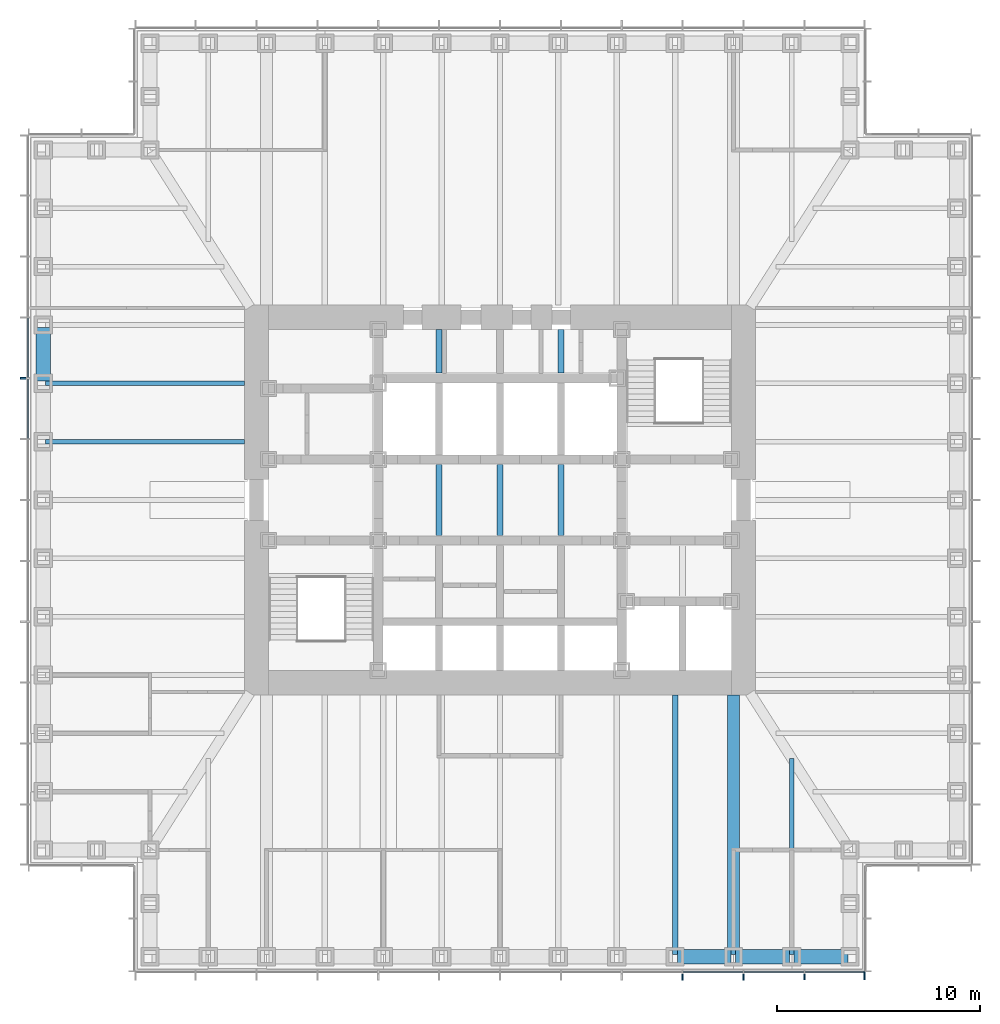
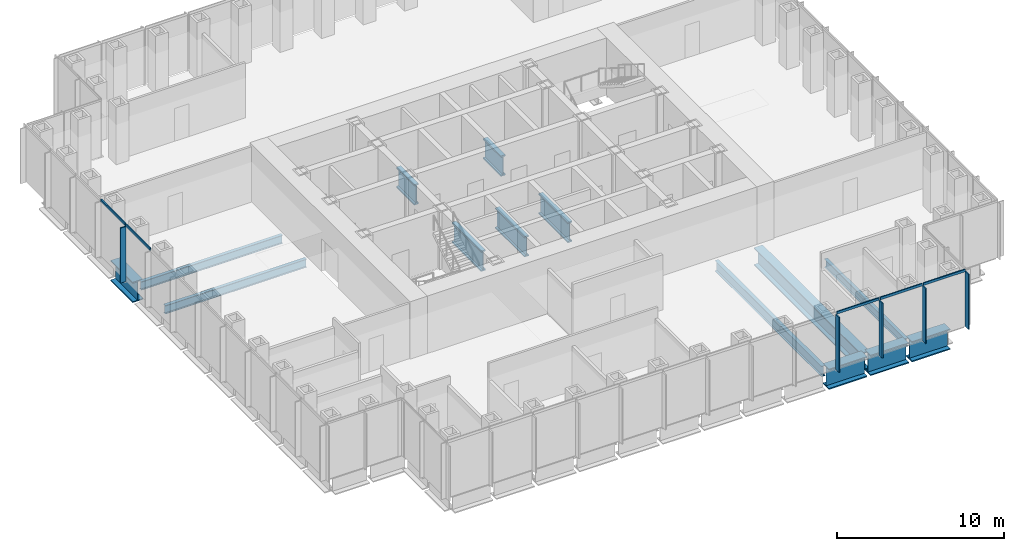
# One storey, part 3 of 16: 14 beams, 10 members, 2 elements without a shape of their own.
"""IFC4 building model written with IfcOpenShell, lengths in metres."""

from ifc_helpers import new_model, si_unit, direction, frame, origin, origin_2d, place, context, subcontext, project, spatial, rectangle, i_section, extrude, material, material_profile, profile_set, type_object, element, aggregate, save


model = new_model("IFC4")

# Units and contexts
model_context = context("Model", 3, precision=1e-05, world=origin(), true_north=direction((0.0, 1.0)))
body_context = subcontext(model_context, "Body", "Model", "MODEL_VIEW")
ifc_project = project(units=[si_unit("LENGTHUNIT", "METRE"), si_unit("AREAUNIT", "SQUARE_METRE"), si_unit("VOLUMEUNIT", "CUBIC_METRE"), si_unit("PLANEANGLEUNIT", "RADIAN"), si_unit("MASSUNIT", "GRAM", prefix="KILO")], contexts=[model_context])

# Site, building, storey
site_placement = place(None, origin())
site = spatial("IfcSite", under=ifc_project, at=site_placement, CompositionType="ELEMENT")
building_placement = place(site_placement, origin())
building = spatial("IfcBuilding", under=site, at=building_placement, Name="Daluyong Arena Tower", CompositionType="ELEMENT")
storey_placement = place(building_placement, frame((0.0, 0.0, 116.5)))
storey = spatial("IfcBuildingStorey", under=building, at=storey_placement, Name="L25", CompositionType="ELEMENT", Elevation=116.5)

# Curtain wall, members
ifc_material_1 = material(Name="Bronze anodised aluminium and glass", Category="aluminium")
curtain_wall_type = type_object("IfcCurtainWallType", Name="Curtain wall CW2", PredefinedType="USERDEFINED", material=ifc_material_1)
curtain_wall_1_placement = place(storey_placement, origin())
curtain_wall_1 = element("IfcCurtainWall", 1, at=curtain_wall_1_placement, inside=storey, type_object=curtain_wall_type, Name="curtain wall L25 S", ObjectType="UNITISED CURTAIN WALL", PredefinedType="USERDEFINED")
ifc_material_2 = material(Name="Bronze anodised aluminium fin", Category="aluminium")
ifc_material_profile_1 = material_profile(ifc_material_2, rectangle(XDim=0.39990234375, YDim=0.080078125, at=origin_2d()))
ifc_profile_set_1 = profile_set([ifc_material_profile_1], Name="Bronze anodised aluminium fin")
member_type_1 = type_object("IfcMemberType", Name="CW2 bronze fin 400x80", PredefinedType="MULLION", material=ifc_profile_set_1)
member_1_placement = place(storey_placement, frame((65.0, 56.550048828125, 0.0), z_axis=(0.0, 0.0, 1.0), x_axis=(0.0, 1.0, 0.0)))
member_1 = element("IfcMember", 2, at=member_1_placement, type_object=member_type_1, Name="curtain wall L25 S fin 10", PredefinedType="MULLION", context=body_context, shape_type="SweptSolid", body=[
    extrude(rectangle(XDim=0.39990234375, YDim=0.080078125, at=origin_2d()), origin(), (0.0, 0.0, 1.0), 4.02001953125),
])
member_2_placement = place(storey_placement, frame((68.0, 56.550048828125, 0.0), z_axis=(0.0, 0.0, 1.0), x_axis=(0.0, 1.0, 0.0)))
member_2 = element("IfcMember", 3, at=member_2_placement, type_object=member_type_1, Name="curtain wall L25 S fin 11", PredefinedType="MULLION", context=body_context, shape_type="SweptSolid", body=[
    extrude(rectangle(XDim=0.39990234375, YDim=0.080078125, at=origin_2d()), origin(), (0.0, 0.0, 1.0), 4.02001953125),
])
member_3_placement = place(storey_placement, frame((71.0, 56.550048828125, 0.0), z_axis=(0.0, 0.0, 1.0), x_axis=(0.0, 1.0, 0.0)))
member_3 = element("IfcMember", 4, at=member_3_placement, type_object=member_type_1, Name="curtain wall L25 S fin 12", PredefinedType="MULLION", context=body_context, shape_type="SweptSolid", body=[
    extrude(rectangle(XDim=0.39990234375, YDim=0.080078125, at=origin_2d()), origin(), (0.0, 0.0, 1.0), 4.02001953125),
])
member_4_placement = place(storey_placement, frame((73.9599609375, 56.550048828125, 0.0), z_axis=(0.0, 0.0, 1.0), x_axis=(0.0, 1.0, 0.0)))
member_4 = element("IfcMember", 5, at=member_4_placement, type_object=member_type_1, Name="curtain wall L25 S fin 13", PredefinedType="MULLION", context=body_context, shape_type="SweptSolid", body=[
    extrude(rectangle(XDim=0.39990234375, YDim=0.080078125, at=origin_2d()), origin(), (0.0, 0.0, 1.0), 4.02001953125),
])

# Curtain wall, member
curtain_wall_2_placement = place(storey_placement, origin())
curtain_wall_2 = element("IfcCurtainWall", 6, at=curtain_wall_2_placement, inside=storey, type_object=curtain_wall_type, Name="curtain wall L25 W", ObjectType="UNITISED CURTAIN WALL", PredefinedType="USERDEFINED")
member_5_placement = place(storey_placement, frame((32.550048828125, 86.0, 0.0), z_axis=(0.0, 0.0, 1.0), x_axis=(1.0, 0.0, 0.0)))
member_5 = element("IfcMember", 7, at=member_5_placement, type_object=member_type_1, Name="curtain wall L25 W fin 5", PredefinedType="MULLION", context=body_context, shape_type="SweptSolid", body=[
    extrude(rectangle(XDim=0.39990234375, YDim=0.080078125, at=origin_2d()), origin(), (0.0, 0.0, 1.0), 4.02001953125),
])

# Member
ifc_material_3 = material(Name="Bronze anodised aluminium", Category="aluminium")
ifc_material_profile_2 = material_profile(ifc_material_3, rectangle(XDim=0.080078125, YDim=0.179931640625, at=origin_2d()))
ifc_profile_set_2 = profile_set([ifc_material_profile_2], Name="Bronze anodised aluminium")
member_type_2 = type_object("IfcMemberType", Name="CW2 stack transom 180x80", PredefinedType="USERDEFINED", material=ifc_profile_set_2)
member_6_placement = place(storey_placement, frame((65.0400390625, 56.75, 4.110107421875), z_axis=(1.0, 0.0, 0.0), x_axis=(0.0, 1.0, 0.0)))
member_6 = element("IfcMember", 8, at=member_6_placement, type_object=member_type_2, Name="curtain wall L25 S transom 10", ObjectType="TRANSOM", PredefinedType="USERDEFINED", context=body_context, shape_type="SweptSolid", body=[
    extrude(rectangle(XDim=0.080078125, YDim=0.179931640625, at=origin_2d()), origin(), (0.0, 0.0, 1.0), 2.919921875),
])

member_7_placement = place(storey_placement, frame((68.0400390625, 56.75, 4.110107421875), z_axis=(1.0, 0.0, 0.0), x_axis=(0.0, 1.0, 0.0)))
member_7 = element("IfcMember", 9, at=member_7_placement, type_object=member_type_2, Name="curtain wall L25 S transom 11", ObjectType="TRANSOM", PredefinedType="USERDEFINED", context=body_context, shape_type="SweptSolid", body=[
    extrude(rectangle(XDim=0.080078125, YDim=0.179931640625, at=origin_2d()), origin(), (0.0, 0.0, 1.0), 2.919921875),
])

member_8_placement = place(storey_placement, frame((71.0400390625, 56.75, 4.110107421875), z_axis=(1.0, 0.0, 0.0), x_axis=(0.0, 1.0, 0.0)))
member_8 = element("IfcMember", 10, at=member_8_placement, type_object=member_type_2, Name="curtain wall L25 S transom 12", ObjectType="TRANSOM", PredefinedType="USERDEFINED", context=body_context, shape_type="SweptSolid", body=[
    extrude(rectangle(XDim=0.080078125, YDim=0.179931640625, at=origin_2d()), origin(), (0.0, 0.0, 1.0), 2.8798828125),
])

aggregate(curtain_wall_1, [member_1, member_2, member_3, member_4, member_6, member_7, member_8])

member_9_placement = place(storey_placement, frame((32.75, 88.9599609375, 4.110107421875), z_axis=(0.0, -1.0, 0.0), x_axis=(1.0, 0.0, 0.0)))
member_9 = element("IfcMember", 11, at=member_9_placement, type_object=member_type_2, Name="curtain wall L25 W transom 4", ObjectType="TRANSOM", PredefinedType="USERDEFINED", context=body_context, shape_type="SweptSolid", body=[
    extrude(rectangle(XDim=0.080078125, YDim=0.179931640625, at=origin_2d()), origin(), (0.0, 0.0, 1.0), 2.919921875),
])

member_10_placement = place(storey_placement, frame((32.75, 85.9599609375, 4.110107421875), z_axis=(0.0, -1.0, 0.0), x_axis=(1.0, 0.0, 0.0)))
member_10 = element("IfcMember", 12, at=member_10_placement, type_object=member_type_2, Name="curtain wall L25 W transom 5", ObjectType="TRANSOM", PredefinedType="USERDEFINED", context=body_context, shape_type="SweptSolid", body=[
    extrude(rectangle(XDim=0.080078125, YDim=0.179931640625, at=origin_2d()), origin(), (0.0, 0.0, 1.0), 2.919921875),
])

aggregate(curtain_wall_2, [member_5, member_9, member_10])

# Beams
ifc_material_4 = material(Name="Steel ASTM A572 Grade 50", Category="steel")
ifc_material_profile_3 = material_profile(ifc_material_4, i_section(OverallWidth=0.60009765625, OverallDepth=1.300048828125, WebThickness=0.035, FlangeThickness=0.07, at=origin_2d()))
ifc_profile_set_3 = profile_set([ifc_material_profile_3], Name="Steel ASTM A572 Grade 50")
beam_type_1 = type_object("IfcBeamType", Name="Floor beam TB1300X600", PredefinedType="BEAM", material=ifc_profile_set_3)
beam_1_placement = place(storey_placement, frame((67.5, 57.614990234375, -0.81005859375), z_axis=(0.0, 1.0, 0.0), x_axis=(-1.0, 0.0, 0.0)))
element("IfcBeam", 13, at=beam_1_placement, inside=storey, type_object=beam_type_1, Name="floor beam FB7", PredefinedType="BEAM", context=body_context, shape_type="SweptSolid", body=[
    extrude(i_section(OverallWidth=0.60009765625, OverallDepth=1.300048828125, WebThickness=0.035, FlangeThickness=0.07, at=origin_2d()), origin(), (0.0, 0.0, 1.0), 12.784912109375),
])
ifc_material_5 = material(Name="Steel ASTM A992 Grade 50", Category="steel")
ifc_material_profile_4 = material_profile(ifc_material_5, i_section(OverallWidth=0.22900390625, OverallDepth=0.612060546875, WebThickness=0.011962890625, FlangeThickness=0.01953125, at=origin_2d()))
ifc_profile_set_4 = profile_set([ifc_material_profile_4], Name="Steel ASTM A992 Grade 50")
beam_type_2 = type_object("IfcBeamType", Name="Floor beam W24X84", PredefinedType="BEAM", material=ifc_profile_set_4)
beam_2_placement = place(storey_placement, frame((70.375, 57.614990234375, -0.466064453125), z_axis=(0.0, 1.0, 0.0), x_axis=(-1.0, 0.0, 0.0)))
element("IfcBeam", 14, at=beam_2_placement, inside=storey, type_object=beam_type_2, Name="floor beam FB3", PredefinedType="BEAM", context=body_context, shape_type="SweptSolid", body=[
    extrude(i_section(OverallWidth=0.22900390625, OverallDepth=0.612060546875, WebThickness=0.011962890625, FlangeThickness=0.01953125, at=origin_2d()), origin(), (0.0, 0.0, 1.0), 9.65283203125),
])
for number, where, z_axis, x_axis, name in (
    (15, (33.614990234375, 85.75, -0.466064453125), (1.0, 0.0, 0.0), (0.0, 1.0, 0.0), "floor beam FB3"),
    (16, (33.614990234375, 82.875, -0.466064453125), (1.0, 0.0, 0.0), (0.0, 1.0, 0.0), "floor beam FB3"),
):
    element("IfcBeam", number, at=place(storey_placement, frame(where, z_axis=z_axis, x_axis=x_axis)), inside=storey, type_object=beam_type_2, Name=name, PredefinedType="BEAM", context=body_context, shape_type="SweptSolid", body=[
        extrude(i_section(OverallWidth=0.22900390625, OverallDepth=0.612060546875, WebThickness=0.011962890625, FlangeThickness=0.01953125, at=origin_2d()), origin(), (0.0, 0.0, 1.0), 9.784912109375),
    ])
ifc_material_6 = material(Name="Steel ASTM A992 Grade 50", Category="steel")
ifc_material_profile_5 = material_profile(ifc_material_6, i_section(OverallWidth=0.2666015625, OverallDepth=0.761962890625, WebThickness=0.014404296875, FlangeThickness=0.021484375, at=origin_2d()))
ifc_profile_set_5 = profile_set([ifc_material_profile_5], Name="Steel ASTM A992 Grade 50")
beam_type_3 = type_object("IfcBeamType", Name="Floor beam W30X116", PredefinedType="BEAM", material=ifc_profile_set_5)
beam_3_placement = place(storey_placement, frame((64.625, 57.614990234375, -0.541015625), z_axis=(0.0, 1.0, 0.0), x_axis=(-1.0, 0.0, 0.0)))
element("IfcBeam", 17, at=beam_3_placement, inside=storey, type_object=beam_type_3, Name="floor beam FB4", PredefinedType="BEAM", context=body_context, shape_type="SweptSolid", body=[
    extrude(i_section(OverallWidth=0.2666015625, OverallDepth=0.761962890625, WebThickness=0.014404296875, FlangeThickness=0.021484375, at=origin_2d()), origin(), (0.0, 0.0, 1.0), 12.784912109375),
])
ifc_material_7 = material(Name="Steel ASTM A572 Grade 50", Category="steel")
ifc_material_profile_6 = material_profile(ifc_material_7, i_section(OverallWidth=0.300048828125, OverallDepth=1.5, WebThickness=0.04, FlangeThickness=0.1, at=origin_2d()))
ifc_profile_set_6 = profile_set([ifc_material_profile_6], Name="Steel ASTM A572 Grade 50")
beam_type_4 = type_object("IfcBeamType", Name="Lift divider beam PG1500X300", PredefinedType="BEAM", material=ifc_profile_set_6)
beam_4_placement = place(storey_placement, frame((53.0, 78.25, -0.909912109375), z_axis=(0.0, 1.0, 0.0), x_axis=(-1.0, 0.0, 0.0)))
element("IfcBeam", 18, at=beam_4_placement, inside=storey, type_object=beam_type_4, Name="lift divider beam DB2", PredefinedType="BEAM", context=body_context, shape_type="SweptSolid", body=[
    extrude(i_section(OverallWidth=0.300048828125, OverallDepth=1.5, WebThickness=0.04, FlangeThickness=0.1, at=origin_2d()), origin(), (0.0, 0.0, 1.0), 3.5),
])
beam_5_placement = place(storey_placement, frame((53.0, 86.25, -0.909912109375), z_axis=(0.0, 1.0, 0.0), x_axis=(-1.0, 0.0, 0.0)))
element("IfcBeam", 19, at=beam_5_placement, inside=storey, type_object=beam_type_4, Name="lift divider beam DB2", PredefinedType="BEAM", context=body_context, shape_type="SweptSolid", body=[
    extrude(i_section(OverallWidth=0.300048828125, OverallDepth=1.5, WebThickness=0.04, FlangeThickness=0.1, at=origin_2d()), origin(), (0.0, 0.0, 1.0), 2.14990234375),
])
for number, where, z_axis, x_axis, name in (
    (20, (56.0, 78.25, -0.909912109375), (0.0, 1.0, 0.0), (-1.0, 0.0, 0.0), "lift divider beam DB2"),
    (21, (59.0, 78.25, -0.909912109375), (0.0, 1.0, 0.0), (-1.0, 0.0, 0.0), "lift divider beam DB2"),
):
    element("IfcBeam", number, at=place(storey_placement, frame(where, z_axis=z_axis, x_axis=x_axis)), inside=storey, type_object=beam_type_4, Name=name, PredefinedType="BEAM", context=body_context, shape_type="SweptSolid", body=[
        extrude(i_section(OverallWidth=0.300048828125, OverallDepth=1.5, WebThickness=0.04, FlangeThickness=0.1, at=origin_2d()), origin(), (0.0, 0.0, 1.0), 3.5),
    ])
beam_6_placement = place(storey_placement, frame((59.0, 86.25, -0.909912109375), z_axis=(0.0, 1.0, 0.0), x_axis=(-1.0, 0.0, 0.0)))
element("IfcBeam", 22, at=beam_6_placement, inside=storey, type_object=beam_type_4, Name="lift divider beam DB2", PredefinedType="BEAM", context=body_context, shape_type="SweptSolid", body=[
    extrude(i_section(OverallWidth=0.300048828125, OverallDepth=1.5, WebThickness=0.04, FlangeThickness=0.1, at=origin_2d()), origin(), (0.0, 0.0, 1.0), 2.14990234375),
])
ifc_material_8 = material(Name="Steel ASTM A572 Grade 50", Category="steel")
ifc_material_profile_7 = material_profile(ifc_material_8, i_section(OverallWidth=0.699951171875, OverallDepth=1.5, WebThickness=0.04, FlangeThickness=0.08, at=origin_2d()))
ifc_profile_set_7 = profile_set([ifc_material_profile_7], Name="Steel ASTM A572 Grade 50")
beam_type_5 = type_object("IfcBeamType", Name="Spandrel Z2 PG1500X700", PredefinedType="SPANDREL", material=ifc_profile_set_7)
for number, where, z_axis, x_axis, name in (
    (23, (64.739990234375, 57.5, -0.909912109375), (1.0, 0.0, 0.0), (0.0, 1.0, 0.0), "spandrel z2 SB6"),
    (24, (67.614990234375, 57.5, -0.909912109375), (1.0, 0.0, 0.0), (0.0, 1.0, 0.0), "spandrel z2 SB6"),
    (25, (70.489990234375, 57.5, -0.909912109375), (1.0, 0.0, 0.0), (0.0, 1.0, 0.0), "spandrel z2 SB6"),
    (26, (33.5, 88.510009765625, -0.909912109375), (0.0, -1.0, 0.0), (1.0, 0.0, 0.0), "spandrel z2 SB6"),
):
    element("IfcBeam", number, at=place(storey_placement, frame(where, z_axis=z_axis, x_axis=x_axis)), inside=storey, type_object=beam_type_5, Name=name, PredefinedType="SPANDREL", context=body_context, shape_type="SweptSolid", body=[
        extrude(i_section(OverallWidth=0.699951171875, OverallDepth=1.5, WebThickness=0.04, FlangeThickness=0.08, at=origin_2d()), origin(), (0.0, 0.0, 1.0), 2.64501953125),
    ])

save(model, "model.ifc")
